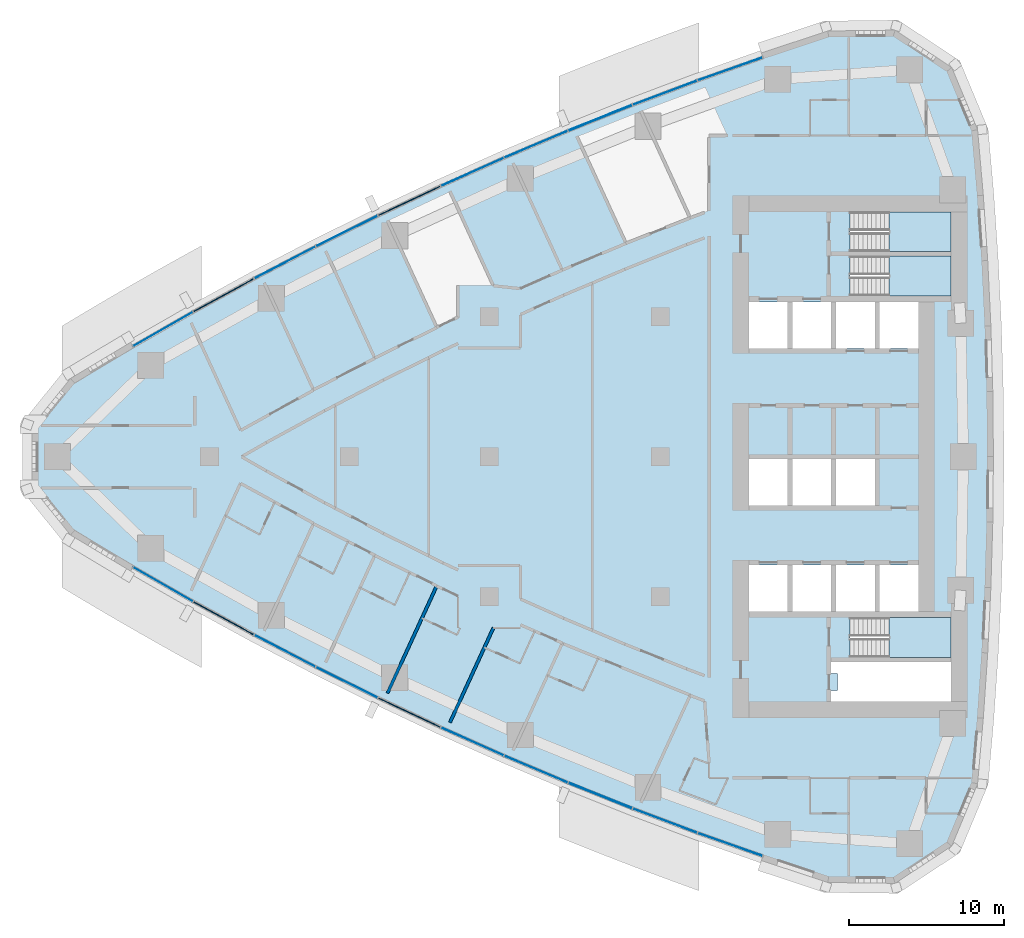
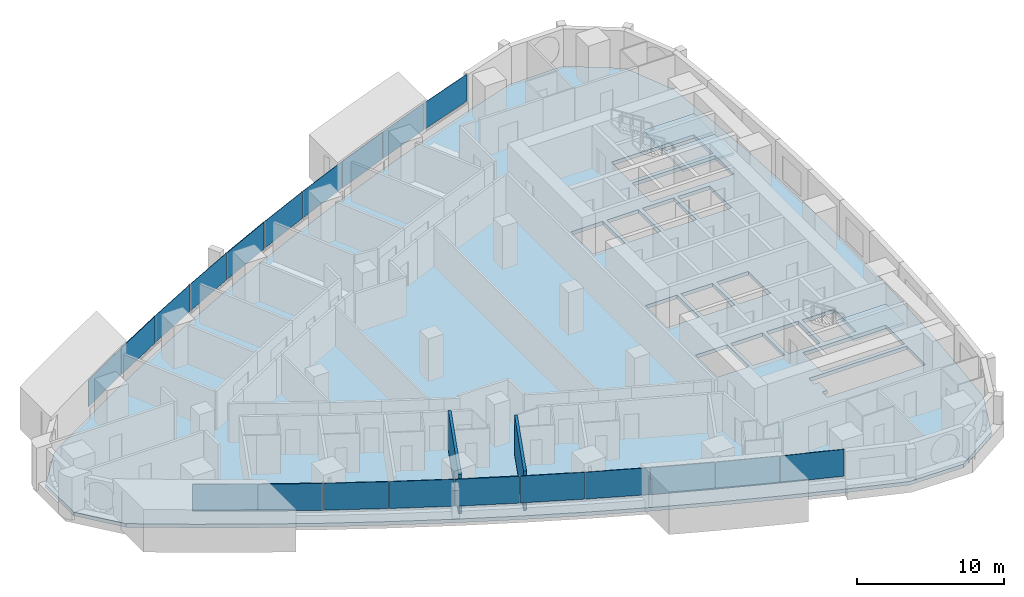
# One storey, part 7 of 17: 20 plates, 4 slabs, 2 walls, 1 opening, 13 elements without a shape of their own.
"""IFC4 building model written with IfcOpenShell, lengths in metres."""

import ifcopenshell
import ifcopenshell.guid

model = None  # the IFC model being written
_history = None  # IfcOwnerHistory: only IFC2X3 demands one
_inside = {}  # id of a spatial element -> (the spatial element, [elements in it])
_under = {}  # id of a project, library or spatial element -> (it, [spatial elements below it])
_declared = {}  # id of a project -> (the project, [libraries it declares])
_typed = {}  # id of a type object -> (the type object, [elements of that type])
_made_of = {}  # id of a material, layer set ... -> (it, [elements and type objects made of it])


def new_model(schema):
    """Start an empty IFC model of exactly this schema.

    Asked for "IFC4X3", IfcOpenShell would pick the latest addendum, in which some entities
    have other attributes; the version numbers below select the first issue.
    IFC2X3 requires an IfcOwnerHistory on every rooted entity: one is made here for all.
    """
    global model, _history
    if schema == "IFC4X3":
        model = ifcopenshell.file(schema_version=(4, 3, 0, 0))
    else:
        model = ifcopenshell.file(schema=schema)
    _inside.clear()
    _under.clear()
    _declared.clear()
    _typed.clear()
    _made_of.clear()
    _history = None
    if model.schema == "IFC2X3":
        org = make("IfcOrganization", Name="unknown")
        user = make(
            "IfcPersonAndOrganization",
            ThePerson=make("IfcPerson", FamilyName="unknown"),
            TheOrganization=org,
        )
        app = make(
            "IfcApplication",
            ApplicationDeveloper=org,
            Version="unknown",
            ApplicationFullName="unknown",
            ApplicationIdentifier="unknown",
        )
        _history = make(
            "IfcOwnerHistory",
            OwningUser=user,
            OwningApplication=app,
            ChangeAction="ADDED",
            CreationDate=0,
        )
    return model


def make(cls, **values):
    """One entity of the class cls with the attributes given. An attribute that is None is left unset."""
    return model.create_entity(
        cls, **{name: value for name, value in values.items() if value is not None}
    )


def rooted(cls, **values):
    """An entity with a GlobalId (a new one), such as an element, a storey or a relation."""
    return make(cls, GlobalId=ifcopenshell.guid.new(), OwnerHistory=_history, **values)


def si_unit(unit_type, name, prefix=None):
    """IfcSIUnit, for example si_unit("LENGTHUNIT", "METRE", prefix="MILLI")."""
    return make("IfcSIUnit", UnitType=unit_type, Prefix=prefix, Name=name)


def assignment(units):
    """IfcUnitAssignment: the units of a project."""
    return None if units is None else make("IfcUnitAssignment", Units=units)


def point(xyz):
    """IfcCartesianPoint."""
    return None if xyz is None else make("IfcCartesianPoint", Coordinates=xyz)


def direction(xyz):
    """IfcDirection."""
    return None if xyz is None else make("IfcDirection", DirectionRatios=xyz)


def frame(location, z_axis=None, x_axis=None):
    """IfcAxis2Placement3D, a coordinate frame: its origin and axes. An axis left out is left unset."""
    return make(
        "IfcAxis2Placement3D",
        Location=point(location),
        Axis=direction(z_axis),
        RefDirection=direction(x_axis),
    )


def frame_2d(location, x_axis=None):
    """IfcAxis2Placement2D, a coordinate frame in the plane: its origin and x axis."""
    return make(
        "IfcAxis2Placement2D", Location=point(location), RefDirection=direction(x_axis)
    )


def origin():
    """The frame at (0, 0, 0) with its axes left unset."""
    return frame((0.0, 0.0, 0.0))


def origin_2d():
    """The frame at (0, 0) in the plane with its x axis left unset."""
    return frame_2d((0.0, 0.0))


def place(relative_to, where):
    """IfcLocalPlacement: puts the frame where relative to a parent placement (None: the world)."""
    return make(
        "IfcLocalPlacement", PlacementRelTo=relative_to, RelativePlacement=where
    )


def context(
    kind, dimensions, precision=None, world=None, true_north=None, identifier=None
):
    """IfcGeometricRepresentationContext, for example the 3D "Model" context."""
    return make(
        "IfcGeometricRepresentationContext",
        ContextIdentifier=identifier,
        ContextType=kind,
        CoordinateSpaceDimension=dimensions,
        Precision=precision,
        WorldCoordinateSystem=world,
        TrueNorth=true_north,
    )


def subcontext(parent, identifier, kind, view, scale=None):
    """IfcGeometricRepresentationSubContext, for example "Body" below "Model"."""
    return make(
        "IfcGeometricRepresentationSubContext",
        ContextIdentifier=identifier,
        ContextType=kind,
        ParentContext=parent,
        TargetScale=scale,
        TargetView=view,
    )


def project(units=None, contexts=None):
    """IfcProject with its units and contexts."""
    return rooted(
        "IfcProject",
        Name="project",
        RepresentationContexts=contexts,
        UnitsInContext=assignment(units),
    )


def spatial(cls, under=None, at=None, **own):
    """A site, building, storey or space (cls), placed at a placement, below another one or the project."""
    s = rooted(cls, ObjectPlacement=at, **own)
    if under is not None:
        _under.setdefault(under.id(), (under, []))[1].append(s)
    return s


def polyline(points):
    """IfcPolyline through the points."""
    return make("IfcPolyline", Points=[point(p) for p in points])


def profile(cls, at=None, kind="AREA", **sizes):
    """A parametric profile (cls). Its sizes go by their IFC names, for example OverallWidth=200.0."""
    return make(cls, ProfileType=kind, Position=at, **sizes)


def rectangle(**sizes):
    """IfcRectangleProfileDef."""
    return profile("IfcRectangleProfileDef", **sizes)


def outline(outer, holes=None, kind="AREA"):
    """IfcArbitraryClosedProfileDef: a profile drawn as a closed curve; with holes, ...WithVoids."""
    if holes is None:
        return make("IfcArbitraryClosedProfileDef", ProfileType=kind, OuterCurve=outer)
    return make(
        "IfcArbitraryProfileDefWithVoids",
        ProfileType=kind,
        OuterCurve=outer,
        InnerCurves=holes,
    )


def extrude(swept, where, along, depth):
    """IfcExtrudedAreaSolid: the profile swept, set in the frame where, extruded along a direction by depth."""
    return make(
        "IfcExtrudedAreaSolid",
        SweptArea=swept,
        Position=where,
        ExtrudedDirection=direction(along),
        Depth=depth,
    )


def shape(context_of_items, identifier, shape_type, items):
    """IfcShapeRepresentation: the items that make up one representation, for example the "Body"."""
    return make(
        "IfcShapeRepresentation",
        ContextOfItems=context_of_items,
        RepresentationIdentifier=identifier,
        RepresentationType=shape_type,
        Items=items,
    )


def material(Name=None, Category=None):
    """IfcMaterial."""
    return make("IfcMaterial", Name=Name, Category=Category)


def layer(
    of_material, thickness, ventilated=None, Name=None, Category=None, Priority=None
):
    """IfcMaterialLayer: one layer of a wall or slab, of a material (None: an air gap)."""
    return make(
        "IfcMaterialLayer",
        Material=of_material,
        LayerThickness=thickness,
        IsVentilated=ventilated,
        Name=Name,
        Category=Category,
        Priority=Priority,
    )


def layer_set(layers, Name=None):
    """IfcMaterialLayerSet."""
    return make("IfcMaterialLayerSet", MaterialLayers=layers, LayerSetName=Name)


def made_of(thing, what):
    """Note that an element or type object is made of a material, layer set ...; save() writes the relation."""
    if what is not None:
        _made_of.setdefault(what.id(), (what, []))[1].append(thing)
    return thing


def type_object(cls, material=None, **own):
    """A type object (cls), such as IfcWallType, which elements share."""
    return made_of(rooted(cls, **own), material)


def element(
    cls,
    number,
    at=None,
    inside=None,
    cuts=None,
    type_object=None,
    material=None,
    context=None,
    identifier="Body",
    shape_type=None,
    held_by="IfcProductDefinitionShape",
    body=None,
    shapes=None,
    **own,
):
    """One element of the class cls, such as IfcWall. Its Tag is "e" and its number.

    at: its placement. inside: the storey or other place that contains it. cuts: it is an
    opening in that element (IfcRelVoidsElement). A single representation is given by context,
    identifier, shape_type and body (its items); several are given by shapes. held_by: the class
    of the entity that holds the representations. save() writes the other relations.
    """
    e = rooted(cls, Tag="e%d" % number, ObjectPlacement=at, **own)
    if body is not None:
        shapes = [shape(context, identifier, shape_type, body)]
    if shapes is not None:
        e.Representation = make(held_by, Representations=shapes)
    if inside is not None:
        _inside.setdefault(inside.id(), (inside, []))[1].append(e)
    if cuts is not None:
        rooted(
            "IfcRelVoidsElement", RelatingBuildingElement=cuts, RelatedOpeningElement=e
        )
    if type_object is not None:
        _typed.setdefault(type_object.id(), (type_object, []))[1].append(e)
    return made_of(e, material)


def aggregate(whole, parts):
    """IfcRelAggregates: a whole, such as a stair, and the parts it consists of."""
    return rooted("IfcRelAggregates", RelatingObject=whole, RelatedObjects=parts)


def save(model, path):
    """Write the relations noted so far, then the file.

    IfcRelAggregates (storeys below a building ...), IfcRelContainedInSpatialStructure (elements
    in a storey), IfcRelDefinesByType, IfcRelAssociatesMaterial and IfcRelDeclares: one each for
    every whole, place, type object, material and project.
    """
    for whole, parts in _under.values():
        aggregate(whole, parts)
    for where, things in _inside.values():
        rooted(
            "IfcRelContainedInSpatialStructure",
            RelatedElements=things,
            RelatingStructure=where,
        )
    for kind, things in _typed.values():
        rooted("IfcRelDefinesByType", RelatedObjects=things, RelatingType=kind)
    for what, things in _made_of.values():
        rooted("IfcRelAssociatesMaterial", RelatedObjects=things, RelatingMaterial=what)
    for by, libraries in _declared.values():
        rooted("IfcRelDeclares", RelatingContext=by, RelatedDefinitions=libraries)
    model.write(path)


model = new_model("IFC4")

# Units and contexts
model_context = context("Model", 3, precision=1e-05, world=origin(), true_north=direction((0.0, 1.0)))
body_context = subcontext(model_context, "Body", "Model", "MODEL_VIEW")
ifc_project = project(units=[si_unit("LENGTHUNIT", "METRE"), si_unit("AREAUNIT", "SQUARE_METRE"), si_unit("VOLUMEUNIT", "CUBIC_METRE"), si_unit("PLANEANGLEUNIT", "RADIAN"), si_unit("MASSUNIT", "GRAM", prefix="KILO")], contexts=[model_context])

# Site, building, storey
site_placement = place(None, origin())
site = spatial("IfcSite", under=ifc_project, at=site_placement, CompositionType="ELEMENT")
building_placement = place(site_placement, origin())
building = spatial("IfcBuilding", under=site, at=building_placement, Name="Ostrand Prow Hotel Tower", CompositionType="ELEMENT")
storey_placement = place(building_placement, frame((0.0, 0.0, 88.449951171875)))
storey = spatial("IfcBuildingStorey", under=building, at=storey_placement, Name="L20", CompositionType="ELEMENT", Elevation=88.449951171875)

# Curtain wall, plate
ifc_material_1 = material(Name="Insulated glass in bronze anodised frame", Category="glass")
ifc_layer_1 = layer(ifc_material_1, 0.199951171875)
ifc_layer_set_1 = layer_set([ifc_layer_1], Name="Insulated glass in bronze anodised frame")
curtain_wall_type = type_object("IfcCurtainWallType", Name="Strip curtain wall, fritted glass over bronze spandrel", PredefinedType="NOTDEFINED", material=ifc_layer_set_1)
curtain_wall_1_placement = place(storey_placement, origin())
curtain_wall_1 = element("IfcCurtainWall", 1, at=curtain_wall_1_placement, inside=storey, type_object=curtain_wall_type, Name="CW1 run CWS1", PredefinedType="NOTDEFINED")
ifc_material_2 = material(Name="Ceramic-fritted glass", Category="glass")
ifc_layer_2 = layer(ifc_material_2, 0.031982421875)
ifc_layer_set_2 = layer_set([ifc_layer_2], Name="Ceramic-fritted glass")
plate_type_1 = type_object("IfcPlateType", Name="Dot-fritted ceramic glass unit 32 mm", PredefinedType="CURTAIN_PANEL", material=ifc_layer_set_2)
plate_1_placement = place(storey_placement, frame((13.013916015625, -8.2099609375, 1.02001953125), z_axis=(0.0, 0.0, 1.0), x_axis=(0.867684775301, -0.497114806368, 0.0)))
plate_1 = element("IfcPlate", 2, at=plate_1_placement, type_object=plate_type_1, Name="CW1 PN-D panel 1.2", PredefinedType="CURTAIN_PANEL", context=body_context, shape_type="SweptSolid", body=[
    extrude(rectangle(XDim=4.406005859375, YDim=0.031982421875, at=origin_2d()), origin(), (0.0, 0.0, 1.0), 2.22998046875),
])

# Curtain wall, plates
curtain_wall_2_placement = place(storey_placement, origin())
curtain_wall_2 = element("IfcCurtainWall", 3, at=curtain_wall_2_placement, inside=storey, type_object=curtain_wall_type, Name="CW1 run CWS2", PredefinedType="NOTDEFINED")
plate_2_placement = place(storey_placement, frame((20.8505859375, -12.49365234375, 1.02001953125), z_axis=(0.0, 0.0, 1.0), x_axis=(0.886896367661, -0.461968432937, 0.0)))
plate_2 = element("IfcPlate", 4, at=plate_2_placement, type_object=plate_type_1, Name="CW1 PN-D panel 1.2", PredefinedType="CURTAIN_PANEL", context=body_context, shape_type="SweptSolid", body=[
    extrude(rectangle(XDim=4.406005859375, YDim=0.031982421875, at=origin_2d()), origin(), (0.0, 0.0, 1.0), 2.22998046875),
])
plate_3_placement = place(storey_placement, frame((24.831787109375, -14.516845703125, 1.02001953125), z_axis=(0.0, 0.0, 1.0), x_axis=(0.895970803653, -0.44411295748, 0.0)))
plate_3 = element("IfcPlate", 5, at=plate_3_placement, type_object=plate_type_1, Name="CW1 PN-D panel 2.2", PredefinedType="CURTAIN_PANEL", context=body_context, shape_type="SweptSolid", body=[
    extrude(rectangle(XDim=4.406005859375, YDim=0.031982421875, at=origin_2d()), origin(), (0.0, 0.0, 1.0), 2.22998046875),
])
aggregate(curtain_wall_2, [plate_2, plate_3])

# Curtain wall, plate
curtain_wall_3_placement = place(storey_placement, origin())
curtain_wall_3 = element("IfcCurtainWall", 6, at=curtain_wall_3_placement, inside=storey, type_object=curtain_wall_type, Name="CW1 run CWS3", PredefinedType="NOTDEFINED")
plate_4_placement = place(storey_placement, frame((32.911865234375, -18.322265625, 1.02001953125), z_axis=(0.0, 0.0, 1.0), x_axis=(0.913037887435, -0.407874755419, 0.0)))
plate_4 = element("IfcPlate", 7, at=plate_4_placement, type_object=plate_type_1, Name="CW1 PN-D panel 2.2", PredefinedType="CURTAIN_PANEL", context=body_context, shape_type="SweptSolid", body=[
    extrude(rectangle(XDim=4.406005859375, YDim=0.031982421875, at=origin_2d()), origin(), (0.0, 0.0, 1.0), 2.22998046875),
])

curtain_wall_4_placement = place(storey_placement, origin())
curtain_wall_4 = element("IfcCurtainWall", 8, at=curtain_wall_4_placement, inside=storey, type_object=curtain_wall_type, Name="CW1 run CWS4", PredefinedType="NOTDEFINED")
plate_5_placement = place(storey_placement, frame((37.007080078125, -20.102783203125, 1.02001953125), z_axis=(0.0, 0.0, 1.0), x_axis=(0.921023688536, -0.389506566255, 0.0)))
plate_5 = element("IfcPlate", 9, at=plate_5_placement, type_object=plate_type_1, Name="CW1 PN-D panel 1.2", PredefinedType="CURTAIN_PANEL", context=body_context, shape_type="SweptSolid", body=[
    extrude(rectangle(XDim=4.406005859375, YDim=0.031982421875, at=origin_2d()), origin(), (0.0, 0.0, 1.0), 2.22998046875),
])

# Curtain wall, plates
curtain_wall_5_placement = place(storey_placement, origin())
curtain_wall_5 = element("IfcCurtainWall", 10, at=curtain_wall_5_placement, inside=storey, type_object=curtain_wall_type, Name="CW1 run CWS5", PredefinedType="NOTDEFINED")
plate_6_placement = place(storey_placement, frame((45.301025390625, -23.416015625, 1.02001953125), z_axis=(0.0, 0.0, 1.0), x_axis=(0.935883792387, -0.35230885193, 0.0)))
plate_6 = element("IfcPlate", 11, at=plate_6_placement, type_object=plate_type_1, Name="CW1 PN-D panel 1.2", PredefinedType="CURTAIN_PANEL", context=body_context, shape_type="SweptSolid", body=[
    extrude(rectangle(XDim=4.406005859375, YDim=0.031982421875, at=origin_2d()), origin(), (0.0, 0.0, 1.0), 2.22998046875),
])
plate_7_placement = place(storey_placement, frame((49.49609375, -24.947509765625, 1.02001953125), z_axis=(0.0, 0.0, 1.0), x_axis=(0.942751551748, -0.333495894542, 0.0)))
plate_7 = element("IfcPlate", 12, at=plate_7_placement, type_object=plate_type_1, Name="CW1 PN-D panel 2.2", PredefinedType="CURTAIN_PANEL", context=body_context, shape_type="SweptSolid", body=[
    extrude(rectangle(XDim=4.406005859375, YDim=0.031982421875, at=origin_2d()), origin(), (0.0, 0.0, 1.0), 2.22998046875),
])
aggregate(curtain_wall_5, [plate_6, plate_7])

curtain_wall_6_placement = place(storey_placement, origin())
curtain_wall_6 = element("IfcCurtainWall", 13, at=curtain_wall_6_placement, inside=storey, type_object=curtain_wall_type, Name="CW1 run CWN1", PredefinedType="NOTDEFINED")
plate_8_placement = place(storey_placement, frame((49.49609375, 24.947509765625, 1.02001953125), z_axis=(0.0, 0.0, 1.0), x_axis=(-0.942751551748, -0.333495894542, 0.0)))
plate_8 = element("IfcPlate", 14, at=plate_8_placement, type_object=plate_type_1, Name="CW1 PN-D panel 1.2", PredefinedType="CURTAIN_PANEL", context=body_context, shape_type="SweptSolid", body=[
    extrude(rectangle(XDim=4.406005859375, YDim=0.031982421875, at=origin_2d()), origin(), (0.0, 0.0, 1.0), 2.22998046875),
])
plate_9_placement = place(storey_placement, frame((45.301025390625, 23.416015625, 1.02001953125), z_axis=(0.0, 0.0, 1.0), x_axis=(-0.935883792387, -0.35230885193, 0.0)))
plate_9 = element("IfcPlate", 15, at=plate_9_placement, type_object=plate_type_1, Name="CW1 PN-D panel 2.2", PredefinedType="CURTAIN_PANEL", context=body_context, shape_type="SweptSolid", body=[
    extrude(rectangle(XDim=4.406005859375, YDim=0.031982421875, at=origin_2d()), origin(), (0.0, 0.0, 1.0), 2.22998046875),
])
aggregate(curtain_wall_6, [plate_8, plate_9])

# Curtain wall, plate
curtain_wall_7_placement = place(storey_placement, origin())
curtain_wall_7 = element("IfcCurtainWall", 16, at=curtain_wall_7_placement, inside=storey, type_object=curtain_wall_type, Name="CW1 run CWN2", PredefinedType="NOTDEFINED")
plate_10_placement = place(storey_placement, frame((37.007080078125, 20.102783203125, 1.02001953125), z_axis=(0.0, 0.0, 1.0), x_axis=(-0.921023688536, -0.389506566255, 0.0)))
plate_10 = element("IfcPlate", 17, at=plate_10_placement, type_object=plate_type_1, Name="CW1 PN-D panel 2.2", PredefinedType="CURTAIN_PANEL", context=body_context, shape_type="SweptSolid", body=[
    extrude(rectangle(XDim=4.406005859375, YDim=0.031982421875, at=origin_2d()), origin(), (0.0, 0.0, 1.0), 2.22998046875),
])

curtain_wall_8_placement = place(storey_placement, origin())
curtain_wall_8 = element("IfcCurtainWall", 18, at=curtain_wall_8_placement, inside=storey, type_object=curtain_wall_type, Name="CW1 run CWN3", PredefinedType="NOTDEFINED")
plate_11_placement = place(storey_placement, frame((32.911865234375, 18.322265625, 1.02001953125), z_axis=(0.0, 0.0, 1.0), x_axis=(-0.913037887435, -0.407874755419, 0.0)))
plate_11 = element("IfcPlate", 19, at=plate_11_placement, type_object=plate_type_1, Name="CW1 PN-D panel 1.2", PredefinedType="CURTAIN_PANEL", context=body_context, shape_type="SweptSolid", body=[
    extrude(rectangle(XDim=4.406005859375, YDim=0.031982421875, at=origin_2d()), origin(), (0.0, 0.0, 1.0), 2.22998046875),
])

# Curtain wall, plates
curtain_wall_9_placement = place(storey_placement, origin())
curtain_wall_9 = element("IfcCurtainWall", 20, at=curtain_wall_9_placement, inside=storey, type_object=curtain_wall_type, Name="CW1 run CWN4", PredefinedType="NOTDEFINED")
plate_12_placement = place(storey_placement, frame((24.831787109375, 14.516845703125, 1.02001953125), z_axis=(0.0, 0.0, 1.0), x_axis=(-0.895970803653, -0.44411295748, 0.0)))
plate_12 = element("IfcPlate", 21, at=plate_12_placement, type_object=plate_type_1, Name="CW1 PN-D panel 1.2", PredefinedType="CURTAIN_PANEL", context=body_context, shape_type="SweptSolid", body=[
    extrude(rectangle(XDim=4.406005859375, YDim=0.031982421875, at=origin_2d()), origin(), (0.0, 0.0, 1.0), 2.22998046875),
])
plate_13_placement = place(storey_placement, frame((20.8505859375, 12.49365234375, 1.02001953125), z_axis=(0.0, 0.0, 1.0), x_axis=(-0.886896367661, -0.461968432937, 0.0)))
plate_13 = element("IfcPlate", 22, at=plate_13_placement, type_object=plate_type_1, Name="CW1 PN-D panel 2.2", PredefinedType="CURTAIN_PANEL", context=body_context, shape_type="SweptSolid", body=[
    extrude(rectangle(XDim=4.406005859375, YDim=0.031982421875, at=origin_2d()), origin(), (0.0, 0.0, 1.0), 2.22998046875),
])
aggregate(curtain_wall_9, [plate_12, plate_13])

# Curtain wall, plate
curtain_wall_10_placement = place(storey_placement, origin())
curtain_wall_10 = element("IfcCurtainWall", 23, at=curtain_wall_10_placement, inside=storey, type_object=curtain_wall_type, Name="CW1 run CWN5", PredefinedType="NOTDEFINED")
plate_14_placement = place(storey_placement, frame((13.013916015625, 8.2099609375, 1.02001953125), z_axis=(0.0, 0.0, 1.0), x_axis=(-0.867684775301, -0.497114806368, 0.0)))
plate_14 = element("IfcPlate", 24, at=plate_14_placement, type_object=plate_type_1, Name="CW1 PN-D panel 2.2", PredefinedType="CURTAIN_PANEL", context=body_context, shape_type="SweptSolid", body=[
    extrude(rectangle(XDim=4.406005859375, YDim=0.031982421875, at=origin_2d()), origin(), (0.0, 0.0, 1.0), 2.22998046875),
])

# Plate
ifc_material_3 = material(Name="Fritted glass in bronze vent frame", Category="glass")
ifc_layer_3 = layer(ifc_material_3, 0.06005859375)
ifc_layer_set_3 = layer_set([ifc_layer_3], Name="Fritted glass in bronze vent frame")
plate_type_2 = type_object("IfcPlateType", Name="Operable vent panel 60 mm", PredefinedType="CURTAIN_PANEL", material=ifc_layer_set_3)
plate_15_placement = place(storey_placement, frame((16.910888671875, -10.39111328125, 1.02001953125), z_axis=(0.0, 0.0, 1.0), x_axis=(0.877466978439, -0.479637052103, 0.0)))
plate_15 = element("IfcPlate", 25, at=plate_15_placement, type_object=plate_type_2, Name="CW1 PN-O panel 2.2", PredefinedType="CURTAIN_PANEL", context=body_context, shape_type="SweptSolid", body=[
    extrude(rectangle(XDim=4.406005859375, YDim=0.06005859375, at=origin_2d()), origin(), (0.0, 0.0, 1.0), 2.22998046875),
])

aggregate(curtain_wall_1, [plate_1, plate_15])

plate_16_placement = place(storey_placement, frame((28.852783203125, -16.4599609375, 1.02001953125), z_axis=(0.0, 0.0, 1.0), x_axis=(0.904685808958, -0.426079320162, 0.0)))
plate_16 = element("IfcPlate", 26, at=plate_16_placement, type_object=plate_type_2, Name="CW1 PN-O panel 1.2", PredefinedType="CURTAIN_PANEL", context=body_context, shape_type="SweptSolid", body=[
    extrude(rectangle(XDim=4.406005859375, YDim=0.06005859375, at=origin_2d()), origin(), (0.0, 0.0, 1.0), 2.22998046875),
])

aggregate(curtain_wall_3, [plate_16, plate_4])

plate_17_placement = place(storey_placement, frame((41.137451171875, -21.801025390625, 1.02001953125), z_axis=(0.0, 0.0, 1.0), x_axis=(0.928640008649, -0.370982121315, 0.0)))
plate_17 = element("IfcPlate", 27, at=plate_17_placement, type_object=plate_type_2, Name="CW1 PN-O panel 2.2", PredefinedType="CURTAIN_PANEL", context=body_context, shape_type="SweptSolid", body=[
    extrude(rectangle(XDim=4.406005859375, YDim=0.06005859375, at=origin_2d()), origin(), (0.0, 0.0, 1.0), 2.22998046875),
])

aggregate(curtain_wall_4, [plate_5, plate_17])

plate_18_placement = place(storey_placement, frame((41.137451171875, 21.801025390625, 1.02001953125), z_axis=(0.0, 0.0, 1.0), x_axis=(-0.928640008649, -0.370982121315, 0.0)))
plate_18 = element("IfcPlate", 28, at=plate_18_placement, type_object=plate_type_2, Name="CW1 PN-O panel 1.2", PredefinedType="CURTAIN_PANEL", context=body_context, shape_type="SweptSolid", body=[
    extrude(rectangle(XDim=4.406005859375, YDim=0.06005859375, at=origin_2d()), origin(), (0.0, 0.0, 1.0), 2.22998046875),
])

aggregate(curtain_wall_7, [plate_18, plate_10])

plate_19_placement = place(storey_placement, frame((28.852783203125, 16.4599609375, 1.02001953125), z_axis=(0.0, 0.0, 1.0), x_axis=(-0.904685808958, -0.426079320162, 0.0)))
plate_19 = element("IfcPlate", 29, at=plate_19_placement, type_object=plate_type_2, Name="CW1 PN-O panel 2.2", PredefinedType="CURTAIN_PANEL", context=body_context, shape_type="SweptSolid", body=[
    extrude(rectangle(XDim=4.406005859375, YDim=0.06005859375, at=origin_2d()), origin(), (0.0, 0.0, 1.0), 2.22998046875),
])

aggregate(curtain_wall_8, [plate_11, plate_19])

plate_20_placement = place(storey_placement, frame((16.910888671875, 10.39111328125, 1.02001953125), z_axis=(0.0, 0.0, 1.0), x_axis=(-0.877466978439, -0.479637052103, 0.0)))
plate_20 = element("IfcPlate", 30, at=plate_20_placement, type_object=plate_type_2, Name="CW1 PN-O panel 1.2", PredefinedType="CURTAIN_PANEL", context=body_context, shape_type="SweptSolid", body=[
    extrude(rectangle(XDim=4.406005859375, YDim=0.06005859375, at=origin_2d()), origin(), (0.0, 0.0, 1.0), 2.22998046875),
])

aggregate(curtain_wall_10, [plate_20, plate_14])

# Slab, opening
ifc_material_4 = material(Name="Concrete C40/50", Category="concrete")
ifc_layer_4 = layer(ifc_material_4, 0.300048828125)
ifc_layer_set_4 = layer_set([ifc_layer_4], Name="Concrete C40/50")
slab_type_1 = type_object("IfcSlabType", Name="PT flat plate 300 C40/50", PredefinedType="FLOOR", material=ifc_layer_set_4)
slab_1_placement = place(storey_placement, frame((0.0, 0.0, -0.300048828125)))
slab_1 = element("IfcSlab", 31, at=slab_1_placement, inside=storey, type_object=slab_type_1, Name="Floor slab L20-1", PredefinedType="FLOOR", context=body_context, shape_type="SweptSolid", body=[
    extrude(outline(polyline([(7.150390625, 4.879638671875), (11.01806640625, 7.19970703125), (14.89501953125, 9.4208984375), (18.81591796875, 11.56396484375), (22.77880859375, 13.628173828125), (26.7822265625, 15.61279296875), (30.82470703125, 17.5166015625), (34.904541015625, 19.339111328125), (39.02001953125, 21.07958984375), (43.16943359375, 22.7373046875), (47.351318359375, 24.311279296875), (51.563720703125, 25.801513671875), (55.839599609375, 27.218505859375), (60.05615234375, 27.271728515625), (63.6103515625, 24.932861328125), (65.2294921875, 21.039306640625), (65.598876953125, 16.81201171875), (65.883544921875, 12.614501953125), (66.087158203125, 8.412353515625), (66.209228515625, 4.206787109375), (66.25, 0.0), (66.209228515625, -4.206787109375), (66.087158203125, -8.412353515625), (65.883544921875, -12.614501953125), (65.598876953125, -16.81201171875), (65.2294921875, -21.039306640625), (63.6103515625, -24.932861328125), (60.05615234375, -27.271728515625), (55.839599609375, -27.218505859375), (51.563720703125, -25.801513671875), (47.351318359375, -24.311279296875), (43.16943359375, -22.7373046875), (39.02001953125, -21.07958984375), (34.904541015625, -19.339111328125), (30.82470703125, -17.5166015625), (26.7822265625, -15.61279296875), (22.77880859375, -13.628173828125), (18.81591796875, -11.56396484375), (14.89501953125, -9.4208984375), (11.01806640625, -7.19970703125), (7.150390625, -4.879638671875), (4.75830078125, -1.923583984375), (4.75830078125, 1.923583984375), (7.150390625, 4.879638671875)]), holes=[polyline([(50.699951171875, 6.949951171875), (53.199951171875, 6.949951171875), (53.199951171875, 9.949951171875), (50.699951171875, 9.949951171875), (50.699951171875, 6.949951171875)]), polyline([(53.5, 6.949951171875), (56.0, 6.949951171875), (56.0, 9.949951171875), (53.5, 9.949951171875), (53.5, 6.949951171875)]), polyline([(56.300048828125, 6.949951171875), (58.800048828125, 6.949951171875), (58.800048828125, 9.949951171875), (56.300048828125, 9.949951171875), (56.300048828125, 6.949951171875)]), polyline([(59.10009765625, 6.949951171875), (61.60009765625, 6.949951171875), (61.60009765625, 9.949951171875), (59.10009765625, 9.949951171875), (59.10009765625, 6.949951171875)]), polyline([(50.699951171875, -3.14990234375), (53.199951171875, -3.14990234375), (53.199951171875, -0.14990234375), (50.699951171875, -0.14990234375), (50.699951171875, -3.14990234375)]), polyline([(53.5, -3.14990234375), (56.0, -3.14990234375), (56.0, -0.14990234375), (53.5, -0.14990234375), (53.5, -3.14990234375)]), polyline([(56.300048828125, -3.14990234375), (58.800048828125, -3.14990234375), (58.800048828125, -0.14990234375), (56.300048828125, -0.14990234375), (56.300048828125, -3.14990234375)]), polyline([(50.699951171875, -9.949951171875), (53.199951171875, -9.949951171875), (53.199951171875, -6.949951171875), (50.699951171875, -6.949951171875), (50.699951171875, -9.949951171875)]), polyline([(53.5, -9.949951171875), (56.0, -9.949951171875), (56.0, -6.949951171875), (53.5, -6.949951171875), (53.5, -9.949951171875)]), polyline([(56.300048828125, -9.949951171875), (58.800048828125, -9.949951171875), (58.800048828125, -6.949951171875), (56.300048828125, -6.949951171875), (56.300048828125, -9.949951171875)]), polyline([(59.10009765625, -9.949951171875), (61.60009765625, -9.949951171875), (61.60009765625, -6.949951171875), (59.10009765625, -6.949951171875), (59.10009765625, -9.949951171875)]), polyline([(57.200927734375, 10.35107421875), (57.200927734375, 12.89892578125), (63.718994140625, 12.89892578125), (63.718994140625, 10.35107421875), (57.200927734375, 10.35107421875)]), polyline([(57.200927734375, 13.200927734375), (57.200927734375, 15.7490234375), (63.718994140625, 15.7490234375), (63.718994140625, 13.200927734375), (57.200927734375, 13.200927734375)]), polyline([(57.200927734375, -12.89892578125), (57.200927734375, -10.35107421875), (63.718994140625, -10.35107421875), (63.718994140625, -12.89892578125), (57.200927734375, -12.89892578125)]), polyline([(56.0, -13.199951171875), (63.719970703125, -13.199951171875), (63.719970703125, -15.75), (56.0, -15.75), (56.0, -15.050048828125), (56.39990234375, -15.050048828125), (56.39990234375, -13.949951171875), (56.0, -13.949951171875), (56.0, -13.199951171875)])]), origin(), (0.0, 0.0, 1.0), 0.300048828125),
])
opening_placement = place(slab_1_placement, origin())
element("IfcOpeningElement", 32, at=opening_placement, cuts=slab_1, Name="Shaft opening 1", PredefinedType="OPENING", context=body_context, shape_type="SweptSolid", body=[
    extrude(outline(polyline([(56.0, -13.199951171875), (63.719970703125, -13.199951171875), (63.719970703125, -15.75), (56.0, -15.75), (56.0, -15.050048828125), (56.39990234375, -15.050048828125), (56.39990234375, -13.949951171875), (56.0, -13.949951171875), (56.0, -13.199951171875)])), origin(), (0.0, 0.0, 1.0), 0.300048828125),
])

# Stair, slab
ifc_material_5 = material(Name="Concrete C40/50", Category="concrete")
stair_type = type_object("IfcStairType", Name="Exit stair 1200 upper zone", PredefinedType="HALF_TURN_STAIR", material=ifc_material_5)
stair_1_placement = place(storey_placement, origin())
stair_1 = element("IfcStair", 33, at=stair_1_placement, inside=storey, type_object=stair_type, Name="L20 ST1C", PredefinedType="HALF_TURN_STAIR")
ifc_material_6 = material(Name="Concrete C40/50", Category="concrete")
ifc_layer_5 = layer(ifc_material_6, 0.199951171875)
ifc_layer_set_5 = layer_set([ifc_layer_5], Name="Concrete C40/50")
slab_type_2 = type_object("IfcSlabType", Name="Stair landing 200 concrete", PredefinedType="LANDING", material=ifc_layer_set_5)
slab_2_placement = place(storey_placement, frame((0.0, 0.0, 1.574951171875)))
slab_2 = element("IfcSlab", 34, at=slab_2_placement, type_object=slab_type_2, Name="ST1C landing 1", PredefinedType="LANDING", context=body_context, shape_type="SweptSolid", body=[
    extrude(outline(polyline([(59.719970703125, 10.35009765625), (63.719970703125, 10.35009765625), (63.719970703125, 12.89990234375), (59.719970703125, 12.89990234375), (59.719970703125, 10.35009765625)])), origin(), (0.0, 0.0, 1.0), 0.2001953125),
])
aggregate(stair_1, [slab_2])

stair_2_placement = place(storey_placement, origin())
stair_2 = element("IfcStair", 35, at=stair_2_placement, inside=storey, type_object=stair_type, Name="L20 ST3C", PredefinedType="HALF_TURN_STAIR")
slab_3_placement = place(storey_placement, frame((0.0, 0.0, 1.574951171875)))
slab_3 = element("IfcSlab", 36, at=slab_3_placement, type_object=slab_type_2, Name="ST3C landing 1", PredefinedType="LANDING", context=body_context, shape_type="SweptSolid", body=[
    extrude(outline(polyline([(59.719970703125, 13.199951171875), (63.719970703125, 13.199951171875), (63.719970703125, 15.75), (59.719970703125, 15.75), (59.719970703125, 13.199951171875)])), origin(), (0.0, 0.0, 1.0), 0.2001953125),
])
aggregate(stair_2, [slab_3])

stair_3_placement = place(storey_placement, origin())
stair_3 = element("IfcStair", 37, at=stair_3_placement, inside=storey, type_object=stair_type, Name="L20 ST2C", PredefinedType="HALF_TURN_STAIR")
slab_4_placement = place(storey_placement, frame((0.0, 0.0, 1.574951171875)))
slab_4 = element("IfcSlab", 38, at=slab_4_placement, type_object=slab_type_2, Name="ST2C landing 1", PredefinedType="LANDING", context=body_context, shape_type="SweptSolid", body=[
    extrude(outline(polyline([(59.719970703125, -12.89990234375), (63.719970703125, -12.89990234375), (63.719970703125, -10.35009765625), (59.719970703125, -10.35009765625), (59.719970703125, -12.89990234375)])), origin(), (0.0, 0.0, 1.0), 0.2001953125),
])
aggregate(stair_3, [slab_4])

# Walls
ifc_material_7 = material(Name="Plasterboard partition")
ifc_layer_6 = layer(ifc_material_7, 0.199951171875)
ifc_layer_set_6 = layer_set([ifc_layer_6], Name="Plasterboard partition")
wall_type = type_object("IfcWallType", Name="Partition 200 key partition", PredefinedType="PARTITIONING", material=ifc_layer_set_6)
wall_1_placement = place(storey_placement, frame((27.449462890625, -15.20849609375, 0.0), z_axis=(0.0, 0.0, 1.0), x_axis=(0.417429919618, 0.90870911859, 0.0)))
element("IfcWall", 39, at=wall_1_placement, inside=storey, type_object=wall_type, Name="KEY PARTITION", PredefinedType="PARTITIONING", context=body_context, shape_type="SweptSolid", body=[
    extrude(rectangle(XDim=7.600341796875, YDim=0.199951171875, at=frame_2d((3.80029296875, 0.0))), origin(), (0.0, 0.0, 1.0), 3.25),
])
wall_2_placement = place(storey_placement, frame((31.471435546875, -17.093505859375, 0.0), z_axis=(0.0, 0.0, 1.0), x_axis=(0.417420546123, 0.908713424394, 0.0)))
element("IfcWall", 40, at=wall_2_placement, inside=storey, type_object=wall_type, Name="KEY PARTITION", PredefinedType="PARTITIONING", context=body_context, shape_type="SweptSolid", body=[
    extrude(rectangle(XDim=6.70556640625, YDim=0.199951171875, at=frame_2d((3.352783203125, 0.0))), origin(), (0.0, 0.0, 1.0), 3.25),
])

save(model, "model.ifc")
